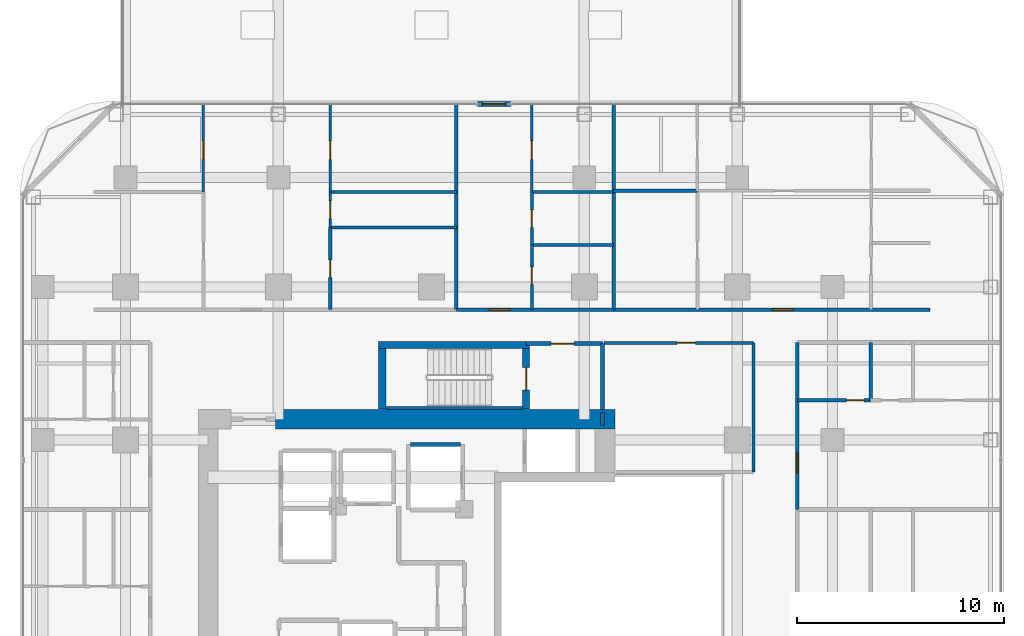
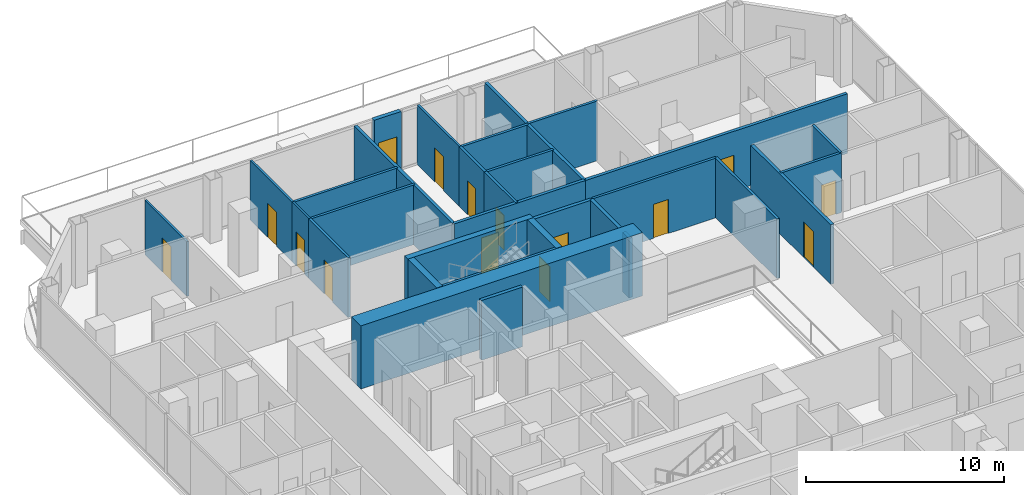
# One storey, part 25 of 29: 31 walls, 15 doors, 15 openings.
"""IFC4 building model written with IfcOpenShell, lengths in metres."""

from ifc_helpers import new_model, si_unit, direction, frame, frame_2d, origin, place, context, subcontext, project, spatial, rectangle, extrude, material, layer, layer_set, type_object, element, fill, save


model = new_model("IFC4")

# Units and contexts
model_context = context("Model", 3, precision=1e-05, world=origin(), true_north=direction((0.0, 1.0)))
body_context = subcontext(model_context, "Body", "Model", "MODEL_VIEW")
ifc_project = project(units=[si_unit("LENGTHUNIT", "METRE"), si_unit("AREAUNIT", "SQUARE_METRE"), si_unit("VOLUMEUNIT", "CUBIC_METRE"), si_unit("PLANEANGLEUNIT", "RADIAN"), si_unit("MASSUNIT", "GRAM", prefix="KILO")], contexts=[model_context])

# Site, building, storey
site_placement = place(None, origin())
site = spatial("IfcSite", under=ifc_project, at=site_placement, CompositionType="ELEMENT")
building_placement = place(site_placement, origin())
building = spatial("IfcBuilding", under=site, at=building_placement, Name="Khorvyn Point Tower", CompositionType="ELEMENT")
storey_placement = place(building_placement, frame((0.0, 0.0, 136.800048828125)))
storey = spatial("IfcBuildingStorey", under=building, at=storey_placement, Name="L34", CompositionType="ELEMENT", Elevation=136.800048828125)

# Wall, opening, door
ifc_material_1 = material(Name="Double acoustic gypsum on twin steel stud", Category="steel")
ifc_layer_1 = layer(ifc_material_1, 0.179931640625)
ifc_layer_set_1 = layer_set([ifc_layer_1], Name="Acoustic Double-Stud Apartment Demising Wall 180")
wall_type_1 = type_object("IfcWallType", Name="Acoustic Double-Stud Apartment Demising Wall 180", PredefinedType="PARTITIONING", material=ifc_layer_set_1)
wall_1_placement = place(storey_placement, frame((1.2041015625, 13.699951171875, 0.0), z_axis=(0.0, 0.0, 1.0), x_axis=(1.0, 0.0, 0.0)))
wall_1 = element("IfcWall", 1, at=wall_1_placement, inside=storey, type_object=wall_type_1, Name="Wall", PredefinedType="PARTITIONING", context=body_context, shape_type="SweptSolid", body=[
    extrude(rectangle(XDim=7.615966796875, YDim=0.179931640625, at=frame_2d((3.80810546875, 0.0))), origin(), (0.0, 0.0, 1.0), 3.679931640625),
])
opening_1_placement = place(wall_1_placement, frame((1.59912109375, 0.0, 0.0)))
opening_1 = element("IfcOpeningElement", 2, at=opening_1_placement, cuts=wall_1, Name="Opening ID-AP60", PredefinedType="OPENING", context=body_context, shape_type="SweptSolid", body=[
    extrude(rectangle(XDim=1.0, YDim=2.199951171875, at=frame_2d((0.5, 1.10009765625))), frame((0.0, 0.099853515625, 0.0), z_axis=(0.0, -1.0, 0.0), x_axis=(1.0, 0.0, 0.0)), (0.0, 0.0, 1.0), 0.199951171875),
])
ifc_material_2 = material(Name="Engineered hardwood fire-rated leaf", Category="wood")
door_type_1 = type_object("IfcDoorType", Name="Acoustic Solid-Core Timber Apartment Entrance Door 1000x2200", OperationType="NOTDEFINED", PredefinedType="DOOR", material=ifc_material_2)
door_1_placement = place(opening_1_placement, origin())
door_1 = element("IfcDoor", 3, at=door_1_placement, inside=storey, type_object=door_type_1, Name="Door", OperationType="SINGLE_SWING_RIGHT", OverallHeight=2.199951171875, OverallWidth=1.0, PredefinedType="DOOR", context=body_context, shape_type="SweptSolid", body=[
    extrude(rectangle(XDim=1.0, YDim=2.199951171875, at=frame_2d((0.5, 1.10009765625))), frame((0.0, 0.02490234375, 0.0), z_axis=(0.0, -1.0, 0.0), x_axis=(1.0, 0.0, 0.0)), (0.0, 0.0, 1.0), 0.050048828125),
])
fill(opening_1, door_1)

wall_2_placement = place(storey_placement, frame((8.820068359375, 13.699951171875, 0.0), z_axis=(0.0, 0.0, 1.0), x_axis=(1.0, 0.0, 0.0)))
wall_2 = element("IfcWall", 4, at=wall_2_placement, inside=storey, type_object=wall_type_1, Name="Wall", PredefinedType="PARTITIONING", context=body_context, shape_type="SweptSolid", body=[
    extrude(rectangle(XDim=15.300048828125, YDim=0.179931640625, at=frame_2d((7.64990234375, 0.0))), origin(), (0.0, 0.0, 1.0), 3.679931640625),
])
opening_2_placement = place(wall_2_placement, frame((7.687744140625, 0.0, 0.0)))
opening_2 = element("IfcOpeningElement", 5, at=opening_2_placement, cuts=wall_2, Name="Opening ID-AP60", PredefinedType="OPENING", context=body_context, shape_type="SweptSolid", body=[
    extrude(rectangle(XDim=1.0, YDim=2.199951171875, at=frame_2d((0.5, 1.10009765625))), frame((0.0, 0.099853515625, 0.0), z_axis=(0.0, -1.0, 0.0), x_axis=(1.0, 0.0, 0.0)), (0.0, 0.0, 1.0), 0.199951171875),
])
door_2_placement = place(opening_2_placement, origin())
door_2 = element("IfcDoor", 6, at=door_2_placement, inside=storey, type_object=door_type_1, Name="Door", OperationType="SINGLE_SWING_RIGHT", OverallHeight=2.199951171875, OverallWidth=1.0, PredefinedType="DOOR", context=body_context, shape_type="SweptSolid", body=[
    extrude(rectangle(XDim=1.0, YDim=2.199951171875, at=frame_2d((0.5, 1.10009765625))), frame((0.0, 0.02490234375, 0.0), z_axis=(0.0, -1.0, 0.0), x_axis=(1.0, 0.0, 0.0)), (0.0, 0.0, 1.0), 0.050048828125),
])
fill(opening_2, door_2)

wall_3_placement = place(storey_placement, frame((17.699951171875, 4.0400390625, 0.0), z_axis=(0.0, 0.0, 1.0), x_axis=(0.0, 1.0, 0.0)))
wall_3 = element("IfcWall", 7, at=wall_3_placement, inside=storey, type_object=wall_type_1, Name="Wall", PredefinedType="PARTITIONING", context=body_context, shape_type="SweptSolid", body=[
    extrude(rectangle(XDim=8.080078125, YDim=0.179931640625, at=frame_2d((4.0400390625, 0.0))), origin(), (0.0, 0.0, 1.0), 3.679931640625),
])
opening_3_placement = place(wall_3_placement, frame((1.760986328125, 0.0, 0.0)))
opening_3 = element("IfcOpeningElement", 8, at=opening_3_placement, cuts=wall_3, Name="Opening ID-AP60", PredefinedType="OPENING", context=body_context, shape_type="SweptSolid", body=[
    extrude(rectangle(XDim=1.0, YDim=2.199951171875, at=frame_2d((0.5, 1.10009765625))), frame((0.0, 0.099853515625, 0.0), z_axis=(0.0, -1.0, 0.0), x_axis=(1.0, 0.0, 0.0)), (0.0, 0.0, 1.0), 0.199951171875),
])
door_3_placement = place(opening_3_placement, origin())
door_3 = element("IfcDoor", 9, at=door_3_placement, inside=storey, type_object=door_type_1, Name="Door", OperationType="SINGLE_SWING_LEFT", OverallHeight=2.199951171875, OverallWidth=1.0, PredefinedType="DOOR", context=body_context, shape_type="SweptSolid", body=[
    extrude(rectangle(XDim=1.0, YDim=2.199951171875, at=frame_2d((0.5, 1.10009765625))), frame((0.0, 0.02490234375, 0.0), z_axis=(0.0, -1.0, 0.0), x_axis=(1.0, 0.0, 0.0)), (0.0, 0.0, 1.0), 0.050048828125),
])
fill(opening_3, door_3)

# Walls
for number, where, z_axis, x_axis, name in (
    (10, (1.2041015625, 13.699951171875, 0.0), (0.0, 0.0, 1.0), (0.0, 1.0, 0.0), "Wall"),
    (11, (8.820068359375, 13.699951171875, 0.0), (0.0, 0.0, 1.0), (0.0, 1.0, 0.0), "Wall"),
):
    element("IfcWall", number, at=place(storey_placement, frame(where, z_axis=z_axis, x_axis=x_axis)), inside=storey, type_object=wall_type_1, Name=name, PredefinedType="PARTITIONING", context=body_context, shape_type="SweptSolid", body=[
        extrude(rectangle(XDim=9.929931640625, YDim=0.179931640625, at=frame_2d((4.96484375, 0.0))), origin(), (0.0, 0.0, 1.0), 3.679931640625),
    ])

# Wall, opening, door
ifc_material_3 = material(Name="Pale anodised aluminium rainscreen on steel stud", Category="steel")
ifc_layer_2 = layer(ifc_material_3, 0.239990234375)
ifc_layer_set_2 = layer_set([ifc_layer_2], Name="Anodised Aluminium Insulated Corner Spandrel Wall 240")
wall_type_2 = type_object("IfcWallType", Name="Anodised Aluminium Insulated Corner Spandrel Wall 240", PredefinedType="SOLIDWALL", material=ifc_layer_set_2)
wall_4_placement = place(storey_placement, frame((2.241943359375, 23.64990234375, 0.0), z_axis=(0.0, 0.0, 1.0), x_axis=(1.0, 0.0, 0.0)))
wall_4 = element("IfcWall", 12, at=wall_4_placement, inside=storey, type_object=wall_type_2, Name="L34 North Outdoor Threshold Wall", PredefinedType="SOLIDWALL", context=body_context, shape_type="SweptSolid", body=[
    extrude(rectangle(XDim=1.580078125, YDim=0.239990234375, at=frame_2d((0.7900390625, 0.0))), origin(), (0.0, 0.0, 1.0), 3.679931640625),
])
opening_4_placement = place(wall_4_placement, frame((0.239990234375, 0.0, 0.0)))
opening_4 = element("IfcOpeningElement", 13, at=opening_4_placement, cuts=wall_4, Name="Opening BD-1122", PredefinedType="OPENING", context=body_context, shape_type="SweptSolid", body=[
    extrude(rectangle(XDim=1.10009765625, YDim=2.199951171875, at=frame_2d((0.550048828125, 1.10009765625))), frame((0.0, 0.1298828125, 0.0), z_axis=(0.0, -1.0, 0.0), x_axis=(1.0, 0.0, 0.0)), (0.0, 0.0, 1.0), 0.260009765625),
])
ifc_material_4 = material(Name="Anodised aluminium 6063-T6 and laminated Low-E glass", Category="aluminium")
door_type_2 = type_object("IfcDoorType", Name="Glazed Balcony and Terrace Threshold Door 1100x2200", OperationType="NOTDEFINED", PredefinedType="DOOR", material=ifc_material_4)
door_4_placement = place(opening_4_placement, origin())
door_4 = element("IfcDoor", 14, at=door_4_placement, inside=storey, type_object=door_type_2, Name="L34 North Terrace Outdoor Door", OperationType="SINGLE_SWING_LEFT", OverallHeight=2.199951171875, OverallWidth=1.10009765625, PredefinedType="DOOR", context=body_context, shape_type="SweptSolid", body=[
    extrude(rectangle(XDim=1.10009765625, YDim=2.199951171875, at=frame_2d((0.550048828125, 1.10009765625))), frame((0.0, 0.02490234375, 0.0), z_axis=(0.0, -1.0, 0.0), x_axis=(1.0, 0.0, 0.0)), (0.0, 0.0, 1.0), 0.050048828125),
])
fill(opening_4, door_4)

ifc_material_5 = material(Name="Concrete C40/50", Category="concrete")
ifc_layer_3 = layer(ifc_material_5, 0.199951171875)
ifc_layer_set_3 = layer_set([ifc_layer_3], Name="Concrete C40/50 Fire-Lobby Compartment Wall 200")
wall_type_3 = type_object("IfcWallType", Name="Concrete C40/50 Fire-Lobby Compartment Wall 200", PredefinedType="SOLIDWALL", material=ifc_layer_set_3)
wall_5_placement = place(storey_placement, frame((4.580078125, 12.06005859375, 0.0), z_axis=(0.0, 0.0, 1.0), x_axis=(1.0, 0.0, 0.0)))
wall_5 = element("IfcWall", 15, at=wall_5_placement, inside=storey, type_object=wall_type_3, Name="Wall", PredefinedType="SOLIDWALL", context=body_context, shape_type="SweptSolid", body=[
    extrude(rectangle(XDim=3.699951171875, YDim=0.199951171875, at=frame_2d((1.85009765625, 0.0))), origin(), (0.0, 0.0, 1.0), 3.679931640625),
])
opening_5_placement = place(wall_5_placement, frame((1.21240234375, 0.0, 0.0)))
opening_5 = element("IfcOpeningElement", 16, at=opening_5_placement, cuts=wall_5, Name="Opening ID-FL90", PredefinedType="OPENING", context=body_context, shape_type="SweptSolid", body=[
    extrude(rectangle(XDim=1.10009765625, YDim=2.14990234375, at=frame_2d((0.550048828125, 1.074951171875))), frame((0.0, 0.10986328125, 0.0), z_axis=(0.0, -1.0, 0.0), x_axis=(1.0, 0.0, 0.0)), (0.0, 0.0, 1.0), 0.219970703125),
])
ifc_material_6 = material(Name="Galvanised powder-coated steel", Category="steel")
door_type_3 = type_object("IfcDoorType", Name="Fire-Rated Steel Lobby and Stair Door 1100x2150", OperationType="NOTDEFINED", PredefinedType="DOOR", material=ifc_material_6)
door_5_placement = place(opening_5_placement, origin())
door_5 = element("IfcDoor", 17, at=door_5_placement, inside=storey, type_object=door_type_3, Name="Door", OperationType="SINGLE_SWING_RIGHT", OverallHeight=2.14990234375, OverallWidth=1.10009765625, PredefinedType="DOOR", context=body_context, shape_type="SweptSolid", body=[
    extrude(rectangle(XDim=1.10009765625, YDim=2.14990234375, at=frame_2d((0.550048828125, 1.074951171875))), frame((0.0, 0.02490234375, 0.0), z_axis=(0.0, -1.0, 0.0), x_axis=(1.0, 0.0, 0.0)), (0.0, 0.0, 1.0), 0.050048828125),
])
fill(opening_5, door_5)

# Walls
wall_6_placement = place(storey_placement, frame((8.280029296875, 8.875, 0.0), z_axis=(0.0, 0.0, 1.0), x_axis=(0.0, 1.0, 0.0)))
element("IfcWall", 18, at=wall_6_placement, inside=storey, type_object=wall_type_3, Name="Wall", PredefinedType="SOLIDWALL", context=body_context, shape_type="SweptSolid", body=[
    extrude(rectangle(XDim=3.18505859375, YDim=0.199951171875, at=frame_2d((1.592529296875, 0.0))), origin(), (0.0, 0.0, 1.0), 3.679931640625),
])
wall_7_placement = place(storey_placement, frame((8.280029296875, 8.10009765625, 0.0), z_axis=(0.0, 0.0, 1.0), x_axis=(0.0, 1.0, 0.0)))
element("IfcWall", 19, at=wall_7_placement, inside=storey, type_object=wall_type_3, Name="Wall", PredefinedType="SOLIDWALL", context=body_context, shape_type="SweptSolid", body=[
    extrude(rectangle(XDim=0.625, YDim=0.199951171875, at=frame_2d((0.3125, 0.0))), origin(), (0.0, 0.0, 1.0), 3.679931640625),
])
ifc_layer_4 = layer(ifc_material_5, 0.25)
ifc_layer_set_4 = layer_set([ifc_layer_4], Name="Concrete C40/50 Stair Inner Cheek Structural Wall 250")
wall_type_4 = type_object("IfcWallType", Name="Concrete C40/50 Stair Inner Cheek Structural Wall 250", PredefinedType="SHEAR", material=ifc_layer_set_4)
wall_8_placement = place(storey_placement, frame((-2.199951171875, 8.949951171875, 0.0), z_axis=(0.0, 0.0, 1.0), x_axis=(1.0, 0.0, 0.0)))
element("IfcWall", 20, at=wall_8_placement, inside=storey, type_object=wall_type_4, Name="Wall", PredefinedType="SHEAR", context=body_context, shape_type="SweptSolid", body=[
    extrude(rectangle(XDim=6.599853515625, YDim=0.14990234375, at=frame_2d((3.2998046875, 0.0))), origin(), (0.0, 0.0, 1.0), 3.89990234375),
])
ifc_layer_5 = layer(ifc_material_5, 0.35009765625)
ifc_layer_set_5 = layer_set([ifc_layer_5], Name="Concrete C40/50 Stair Shaft Structural Wall 350")
wall_type_5 = type_object("IfcWallType", Name="Concrete C40/50 Stair Shaft Structural Wall 350", PredefinedType="SHEAR", material=ifc_layer_set_5)
wall_9_placement = place(storey_placement, frame((-2.554931640625, 12.0, 0.0), z_axis=(0.0, 0.0, 1.0), x_axis=(1.0, 0.0, 0.0)))
element("IfcWall", 21, at=wall_9_placement, inside=storey, type_object=wall_type_5, Name="L34 ST-02 North Shaft Wall", PredefinedType="SHEAR", context=body_context, shape_type="SweptSolid", body=[
    extrude(rectangle(XDim=7.309814453125, YDim=0.35009765625, at=frame_2d((3.65478515625, 0.0))), origin(), (0.0, 0.0, 1.0), 3.89990234375),
])
wall_10_placement = place(storey_placement, frame((-2.3798828125, 8.89990234375, 0.0), z_axis=(0.0, 0.0, 1.0), x_axis=(0.0, 1.0, 0.0)))
element("IfcWall", 22, at=wall_10_placement, inside=storey, type_object=wall_type_5, Name="L34 ST-02 West Shaft Wall", PredefinedType="SHEAR", context=body_context, shape_type="SweptSolid", body=[
    extrude(rectangle(XDim=2.925048828125, YDim=0.35009765625, at=frame_2d((1.46240234375, 0.0))), origin(), (0.0, 0.0, 1.0), 3.89990234375),
])

# Wall, opening, door
wall_11_placement = place(storey_placement, frame((4.580078125, 11.824951171875, 0.0), z_axis=(0.0, 0.0, 1.0), x_axis=(0.0, -1.0, 0.0)))
wall_11 = element("IfcWall", 23, at=wall_11_placement, inside=storey, type_object=wall_type_5, Name="L34 ST-02 East Landing Door Wall", PredefinedType="SHEAR", context=body_context, shape_type="SweptSolid", body=[
    extrude(rectangle(XDim=2.925048828125, YDim=0.35009765625, at=frame_2d((1.46240234375, 0.0))), origin(), (0.0, 0.0, 1.0), 3.89990234375),
])
opening_6_placement = place(wall_11_placement, frame((0.91259765625, 0.0, 0.0)))
opening_6 = element("IfcOpeningElement", 24, at=opening_6_placement, cuts=wall_11, Name="Opening ID-FL90", PredefinedType="OPENING", context=body_context, shape_type="SweptSolid", body=[
    extrude(rectangle(XDim=1.10009765625, YDim=2.14990234375, at=frame_2d((0.550048828125, 1.074951171875))), frame((0.0, 0.18505859375, 0.0), z_axis=(0.0, -1.0, 0.0), x_axis=(1.0, 0.0, 0.0)), (0.0, 0.0, 1.0), 0.3701171875),
])
door_6_placement = place(opening_6_placement, origin())
door_6 = element("IfcDoor", 25, at=door_6_placement, inside=storey, type_object=door_type_3, Name="L34 ST-02 Smokeproof Landing Door", OperationType="SINGLE_SWING_LEFT", OverallHeight=2.14990234375, OverallWidth=1.10009765625, PredefinedType="DOOR", context=body_context, shape_type="SweptSolid", body=[
    extrude(rectangle(XDim=1.10009765625, YDim=2.14990234375, at=frame_2d((0.550048828125, 1.074951171875))), frame((0.0, 0.02490234375, 0.0), z_axis=(0.0, -1.0, 0.0), x_axis=(1.0, 0.0, 0.0)), (0.0, 0.0, 1.0), 0.050048828125),
])
fill(opening_6, door_6)

# Walls
ifc_layer_6 = layer(ifc_material_5, 0.199951171875)
ifc_layer_set_6 = layer_set([ifc_layer_6], Name="Concrete C40/50 Structural Hoistway and Stair Shaft Wall 200")
wall_type_6 = type_object("IfcWallType", Name="Concrete C40/50 Structural Hoistway and Stair Shaft Wall 200", PredefinedType="SHEAR", material=ifc_layer_set_6)
wall_12_placement = place(storey_placement, frame((-1.0, 7.175048828125, 0.0), z_axis=(0.0, 0.0, 1.0), x_axis=(1.0, 0.0, 0.0)))
element("IfcWall", 26, at=wall_12_placement, inside=storey, type_object=wall_type_6, Name="Wall", PredefinedType="SHEAR", context=body_context, shape_type="SweptSolid", body=[
    extrude(rectangle(XDim=2.39990234375, YDim=0.199951171875, at=frame_2d((1.199951171875, 0.0))), origin(), (0.0, 0.0, 1.0), 3.679931640625),
])
ifc_material_7 = material(Name="Concrete C50/60", Category="concrete")
ifc_layer_7 = layer(ifc_material_7, 0.949951171875)
ifc_layer_set_7 = layer_set([ifc_layer_7], Name="Concrete C50/60 Core Shear Wall 950")
wall_type_7 = type_object("IfcWallType", Name="Concrete C50/60 Core Shear Wall 950", PredefinedType="SHEAR", material=ifc_layer_set_7)
wall_13_placement = place(storey_placement, frame((-7.550048828125, 8.39990234375, 0.0), z_axis=(0.0, 0.0, 1.0), x_axis=(1.0, 0.0, 0.0)))
element("IfcWall", 27, at=wall_13_placement, inside=storey, type_object=wall_type_7, Name="Wall", PredefinedType="SHEAR", context=body_context, shape_type="SweptSolid", body=[
    extrude(rectangle(XDim=16.425048828125, YDim=0.949951171875, at=frame_2d((8.21240234375, 0.0))), origin(), (0.0, 0.0, 1.0), 3.89990234375),
])

# Wall, opening, door
ifc_material_8 = material(Name="Gypsum plasterboard on steel stud", Category="steel")
ifc_layer_8 = layer(ifc_material_8, 0.1201171875)
ifc_layer_set_8 = layer_set([ifc_layer_8], Name="Gypsum Acoustic Stud Room Partition Wall 120")
wall_type_8 = type_object("IfcWallType", Name="Gypsum Acoustic Stud Room Partition Wall 120", PredefinedType="PARTITIONING", material=ifc_layer_set_8)
wall_14_placement = place(storey_placement, frame((-11.02392578125, 19.389892578125, 0.0), z_axis=(0.0, 0.0, 1.0), x_axis=(0.0, 1.0, 0.0)))
wall_14 = element("IfcWall", 28, at=wall_14_placement, inside=storey, type_object=wall_type_8, Name="Wall", PredefinedType="PARTITIONING", context=body_context, shape_type="SweptSolid", body=[
    extrude(rectangle(XDim=4.239990234375, YDim=0.1201171875, at=frame_2d((2.1201171875, 0.0))), origin(), (0.0, 0.0, 1.0), 3.369873046875),
])
opening_7_placement = place(wall_14_placement, frame((1.581298828125, 0.0, 0.0)))
opening_7 = element("IfcOpeningElement", 29, at=opening_7_placement, cuts=wall_14, Name="Opening ID-RM90", PredefinedType="OPENING", context=body_context, shape_type="SweptSolid", body=[
    extrude(rectangle(XDim=0.89990234375, YDim=2.10009765625, at=frame_2d((0.449951171875, 1.050048828125))), frame((0.0, 0.070068359375, 0.0), z_axis=(0.0, -1.0, 0.0), x_axis=(1.0, 0.0, 0.0)), (0.0, 0.0, 1.0), 0.14013671875),
])
ifc_material_9 = material(Name="Engineered oak veneer timber", Category="wood")
door_type_4 = type_object("IfcDoorType", Name="Flush Engineered Timber Room Door 900x2100", OperationType="NOTDEFINED", PredefinedType="DOOR", material=ifc_material_9)
door_7_placement = place(opening_7_placement, origin())
door_7 = element("IfcDoor", 30, at=door_7_placement, inside=storey, type_object=door_type_4, Name="Door", OperationType="SINGLE_SWING_RIGHT", OverallHeight=2.10009765625, OverallWidth=0.89990234375, PredefinedType="DOOR", context=body_context, shape_type="SweptSolid", body=[
    extrude(rectangle(XDim=0.89990234375, YDim=2.10009765625, at=frame_2d((0.449951171875, 1.050048828125))), frame((0.0, 0.02490234375, 0.0), z_axis=(0.0, -1.0, 0.0), x_axis=(1.0, 0.0, 0.0)), (0.0, 0.0, 1.0), 0.050048828125),
])
fill(opening_7, door_7)

wall_15_placement = place(storey_placement, frame((-4.889892578125, 17.68310546875, 0.0), z_axis=(0.0, 0.0, 1.0), x_axis=(0.0, 1.0, 0.0)))
wall_15 = element("IfcWall", 31, at=wall_15_placement, inside=storey, type_object=wall_type_8, Name="Wall", PredefinedType="PARTITIONING", context=body_context, shape_type="SweptSolid", body=[
    extrude(rectangle(XDim=1.706787109375, YDim=0.1201171875, at=frame_2d((0.853515625, 0.0))), origin(), (0.0, 0.0, 1.0), 3.679931640625),
])
opening_8_placement = place(wall_15_placement, frame((0.428466796875, 0.0, 0.0)))
opening_8 = element("IfcOpeningElement", 32, at=opening_8_placement, cuts=wall_15, Name="Opening ID-WC85", PredefinedType="OPENING", context=body_context, shape_type="SweptSolid", body=[
    extrude(rectangle(XDim=0.85009765625, YDim=2.10009765625, at=frame_2d((0.425048828125, 1.050048828125))), frame((0.0, 0.070068359375, 0.0), z_axis=(0.0, -1.0, 0.0), x_axis=(1.0, 0.0, 0.0)), (0.0, 0.0, 1.0), 0.14013671875),
])
ifc_material_10 = material(Name="High-pressure laminate on moisture-resistant core", Category="wood")
door_type_5 = type_object("IfcDoorType", Name="Moisture-Resistant Accessible Washroom Door 850x2100", OperationType="NOTDEFINED", PredefinedType="DOOR", material=ifc_material_10)
door_8_placement = place(opening_8_placement, origin())
door_8 = element("IfcDoor", 33, at=door_8_placement, inside=storey, type_object=door_type_5, Name="Door", OperationType="SINGLE_SWING_RIGHT", OverallHeight=2.10009765625, OverallWidth=0.85009765625, PredefinedType="DOOR", context=body_context, shape_type="SweptSolid", body=[
    extrude(rectangle(XDim=0.85009765625, YDim=2.10009765625, at=frame_2d((0.425048828125, 1.050048828125))), frame((0.0, 0.02490234375, 0.0), z_axis=(0.0, -1.0, 0.0), x_axis=(1.0, 0.0, 0.0)), (0.0, 0.0, 1.0), 0.050048828125),
])
fill(opening_8, door_8)

wall_16_placement = place(storey_placement, frame((-4.889892578125, 19.389892578125, 0.0), z_axis=(0.0, 0.0, 1.0), x_axis=(0.0, 1.0, 0.0)))
wall_16 = element("IfcWall", 34, at=wall_16_placement, inside=storey, type_object=wall_type_8, Name="Wall", PredefinedType="PARTITIONING", context=body_context, shape_type="SweptSolid", body=[
    extrude(rectangle(XDim=4.239990234375, YDim=0.1201171875, at=frame_2d((2.1201171875, 0.0))), origin(), (0.0, 0.0, 1.0), 3.679931640625),
])
opening_9_placement = place(wall_16_placement, frame((1.581298828125, 0.0, 0.0)))
opening_9 = element("IfcOpeningElement", 35, at=opening_9_placement, cuts=wall_16, Name="Opening ID-RM90", PredefinedType="OPENING", context=body_context, shape_type="SweptSolid", body=[
    extrude(rectangle(XDim=0.89990234375, YDim=2.10009765625, at=frame_2d((0.449951171875, 1.050048828125))), frame((0.0, 0.070068359375, 0.0), z_axis=(0.0, -1.0, 0.0), x_axis=(1.0, 0.0, 0.0)), (0.0, 0.0, 1.0), 0.14013671875),
])
door_9_placement = place(opening_9_placement, origin())
door_9 = element("IfcDoor", 36, at=door_9_placement, inside=storey, type_object=door_type_4, Name="Door", OperationType="SINGLE_SWING_LEFT", OverallHeight=2.10009765625, OverallWidth=0.89990234375, PredefinedType="DOOR", context=body_context, shape_type="SweptSolid", body=[
    extrude(rectangle(XDim=0.89990234375, YDim=2.10009765625, at=frame_2d((0.449951171875, 1.050048828125))), frame((0.0, 0.02490234375, 0.0), z_axis=(0.0, -1.0, 0.0), x_axis=(1.0, 0.0, 0.0)), (0.0, 0.0, 1.0), 0.050048828125),
])
fill(opening_9, door_9)

wall_17_placement = place(storey_placement, frame((4.860107421875, 19.389892578125, 0.0), z_axis=(0.0, 0.0, 1.0), x_axis=(0.0, 1.0, 0.0)))
wall_17 = element("IfcWall", 37, at=wall_17_placement, inside=storey, type_object=wall_type_8, Name="Wall", PredefinedType="PARTITIONING", context=body_context, shape_type="SweptSolid", body=[
    extrude(rectangle(XDim=4.239990234375, YDim=0.1201171875, at=frame_2d((2.1201171875, 0.0))), origin(), (0.0, 0.0, 1.0), 3.679931640625),
])
opening_10_placement = place(wall_17_placement, frame((1.581298828125, 0.0, 0.0)))
opening_10 = element("IfcOpeningElement", 38, at=opening_10_placement, cuts=wall_17, Name="Opening ID-RM90", PredefinedType="OPENING", context=body_context, shape_type="SweptSolid", body=[
    extrude(rectangle(XDim=0.89990234375, YDim=2.10009765625, at=frame_2d((0.449951171875, 1.050048828125))), frame((0.0, 0.070068359375, 0.0), z_axis=(0.0, -1.0, 0.0), x_axis=(1.0, 0.0, 0.0)), (0.0, 0.0, 1.0), 0.14013671875),
])
door_10_placement = place(opening_10_placement, origin())
door_10 = element("IfcDoor", 39, at=door_10_placement, inside=storey, type_object=door_type_4, Name="Door", OperationType="SINGLE_SWING_LEFT", OverallHeight=2.10009765625, OverallWidth=0.89990234375, PredefinedType="DOOR", context=body_context, shape_type="SweptSolid", body=[
    extrude(rectangle(XDim=0.89990234375, YDim=2.10009765625, at=frame_2d((0.449951171875, 1.050048828125))), frame((0.0, 0.02490234375, 0.0), z_axis=(0.0, -1.0, 0.0), x_axis=(1.0, 0.0, 0.0)), (0.0, 0.0, 1.0), 0.050048828125),
])
fill(opening_10, door_10)

ifc_material_11 = material(Name="Moisture-resistant gypsum and cement board", Category="gypsum")
ifc_layer_9 = layer(ifc_material_11, 0.14990234375)
ifc_layer_set_9 = layer_set([ifc_layer_9], Name="Moisture-Resistant Wet-Room Partition Wall 150")
wall_type_9 = type_object("IfcWallType", Name="Moisture-Resistant Wet-Room Partition Wall 150", PredefinedType="PARTITIONING", material=ifc_layer_set_9)
wall_18_placement = place(storey_placement, frame((8.360107421875, 12.10009765625, 0.0), z_axis=(0.0, 0.0, 1.0), x_axis=(1.0, 0.0, 0.0)))
wall_18 = element("IfcWall", 40, at=wall_18_placement, inside=storey, type_object=wall_type_9, Name="Wall", PredefinedType="PARTITIONING", context=body_context, shape_type="SweptSolid", body=[
    extrude(rectangle(XDim=7.219970703125, YDim=0.14990234375, at=frame_2d((3.60986328125, 0.0))), origin(), (0.0, 0.0, 1.0), 3.679931640625),
])
opening_11_placement = place(wall_18_placement, frame((3.512939453125, 0.0, 0.0)))
opening_11 = element("IfcOpeningElement", 41, at=opening_11_placement, cuts=wall_18, Name="Opening ID-RM90", PredefinedType="OPENING", context=body_context, shape_type="SweptSolid", body=[
    extrude(rectangle(XDim=0.89990234375, YDim=2.10009765625, at=frame_2d((0.449951171875, 1.050048828125))), frame((0.0, 0.0849609375, 0.0), z_axis=(0.0, -1.0, 0.0), x_axis=(1.0, 0.0, 0.0)), (0.0, 0.0, 1.0), 0.169921875),
])
door_11_placement = place(opening_11_placement, origin())
door_11 = element("IfcDoor", 42, at=door_11_placement, inside=storey, type_object=door_type_4, Name="Door", OperationType="SINGLE_SWING_LEFT", OverallHeight=2.10009765625, OverallWidth=0.89990234375, PredefinedType="DOOR", context=body_context, shape_type="SweptSolid", body=[
    extrude(rectangle(XDim=0.89990234375, YDim=2.10009765625, at=frame_2d((0.449951171875, 1.050048828125))), frame((0.0, 0.02490234375, 0.0), z_axis=(0.0, -1.0, 0.0), x_axis=(1.0, 0.0, 0.0)), (0.0, 0.0, 1.0), 0.050048828125),
])
fill(opening_11, door_11)

wall_19_placement = place(storey_placement, frame((-4.889892578125, 13.699951171875, 0.0), z_axis=(0.0, 0.0, 1.0), x_axis=(0.0, 1.0, 0.0)))
wall_19 = element("IfcWall", 43, at=wall_19_placement, inside=storey, type_object=wall_type_9, Name="Wall", PredefinedType="PARTITIONING", context=body_context, shape_type="SweptSolid", body=[
    extrude(rectangle(XDim=3.983154296875, YDim=0.14990234375, at=frame_2d((1.99169921875, 0.0))), origin(), (0.0, 0.0, 1.0), 3.679931640625),
])
opening_12_placement = place(wall_19_placement, frame((1.56640625, 0.0, 0.0)))
opening_12 = element("IfcOpeningElement", 44, at=opening_12_placement, cuts=wall_19, Name="Opening ID-WC85", PredefinedType="OPENING", context=body_context, shape_type="SweptSolid", body=[
    extrude(rectangle(XDim=0.85009765625, YDim=2.10009765625, at=frame_2d((0.425048828125, 1.050048828125))), frame((0.0, 0.0849609375, 0.0), z_axis=(0.0, -1.0, 0.0), x_axis=(1.0, 0.0, 0.0)), (0.0, 0.0, 1.0), 0.169921875),
])
door_12_placement = place(opening_12_placement, origin())
door_12 = element("IfcDoor", 45, at=door_12_placement, inside=storey, type_object=door_type_5, Name="Door", OperationType="SINGLE_SWING_LEFT", OverallHeight=2.10009765625, OverallWidth=0.85009765625, PredefinedType="DOOR", context=body_context, shape_type="SweptSolid", body=[
    extrude(rectangle(XDim=0.85009765625, YDim=2.10009765625, at=frame_2d((0.425048828125, 1.050048828125))), frame((0.0, 0.02490234375, 0.0), z_axis=(0.0, -1.0, 0.0), x_axis=(1.0, 0.0, 0.0)), (0.0, 0.0, 1.0), 0.050048828125),
])
fill(opening_12, door_12)

wall_20_placement = place(storey_placement, frame((4.860107421875, 13.699951171875, 0.0), z_axis=(0.0, 0.0, 1.0), x_axis=(0.0, 1.0, 0.0)))
wall_20 = element("IfcWall", 46, at=wall_20_placement, inside=storey, type_object=wall_type_9, Name="Wall", PredefinedType="PARTITIONING", context=body_context, shape_type="SweptSolid", body=[
    extrude(rectangle(XDim=3.129150390625, YDim=0.14990234375, at=frame_2d((1.564453125, 0.0))), origin(), (0.0, 0.0, 1.0), 3.679931640625),
])
opening_13_placement = place(wall_20_placement, frame((1.228515625, 0.0, 0.0)))
opening_13 = element("IfcOpeningElement", 47, at=opening_13_placement, cuts=wall_20, Name="Opening ID-WC85", PredefinedType="OPENING", context=body_context, shape_type="SweptSolid", body=[
    extrude(rectangle(XDim=0.85009765625, YDim=2.10009765625, at=frame_2d((0.425048828125, 1.050048828125))), frame((0.0, 0.0849609375, 0.0), z_axis=(0.0, -1.0, 0.0), x_axis=(1.0, 0.0, 0.0)), (0.0, 0.0, 1.0), 0.169921875),
])
door_13_placement = place(opening_13_placement, origin())
door_13 = element("IfcDoor", 48, at=door_13_placement, inside=storey, type_object=door_type_5, Name="Door", OperationType="SINGLE_SWING_LEFT", OverallHeight=2.10009765625, OverallWidth=0.85009765625, PredefinedType="DOOR", context=body_context, shape_type="SweptSolid", body=[
    extrude(rectangle(XDim=0.85009765625, YDim=2.10009765625, at=frame_2d((0.425048828125, 1.050048828125))), frame((0.0, 0.02490234375, 0.0), z_axis=(0.0, -1.0, 0.0), x_axis=(1.0, 0.0, 0.0)), (0.0, 0.0, 1.0), 0.050048828125),
])
fill(opening_13, door_13)

wall_21_placement = place(storey_placement, frame((4.860107421875, 16.8291015625, 0.0), z_axis=(0.0, 0.0, 1.0), x_axis=(0.0, 1.0, 0.0)))
wall_21 = element("IfcWall", 49, at=wall_21_placement, inside=storey, type_object=wall_type_9, Name="Wall", PredefinedType="PARTITIONING", context=body_context, shape_type="SweptSolid", body=[
    extrude(rectangle(XDim=2.560791015625, YDim=0.14990234375, at=frame_2d((1.2802734375, 0.0))), origin(), (0.0, 0.0, 1.0), 3.679931640625),
])
opening_14_placement = place(wall_21_placement, frame((0.85546875, 0.0, 0.0)))
opening_14 = element("IfcOpeningElement", 50, at=opening_14_placement, cuts=wall_21, Name="Opening ID-WC85", PredefinedType="OPENING", context=body_context, shape_type="SweptSolid", body=[
    extrude(rectangle(XDim=0.85009765625, YDim=2.10009765625, at=frame_2d((0.425048828125, 1.050048828125))), frame((0.0, 0.0849609375, 0.0), z_axis=(0.0, -1.0, 0.0), x_axis=(1.0, 0.0, 0.0)), (0.0, 0.0, 1.0), 0.169921875),
])
door_14_placement = place(opening_14_placement, origin())
door_14 = element("IfcDoor", 51, at=door_14_placement, inside=storey, type_object=door_type_5, Name="Door", OperationType="SINGLE_SWING_RIGHT", OverallHeight=2.10009765625, OverallWidth=0.85009765625, PredefinedType="DOOR", context=body_context, shape_type="SweptSolid", body=[
    extrude(rectangle(XDim=0.85009765625, YDim=2.10009765625, at=frame_2d((0.425048828125, 1.050048828125))), frame((0.0, 0.02490234375, 0.0), z_axis=(0.0, -1.0, 0.0), x_axis=(1.0, 0.0, 0.0)), (0.0, 0.0, 1.0), 0.050048828125),
])
fill(opening_14, door_14)

wall_22_placement = place(storey_placement, frame((17.699951171875, 9.320068359375, 0.0), z_axis=(0.0, 0.0, 1.0), x_axis=(1.0, 0.0, 0.0)))
wall_22 = element("IfcWall", 52, at=wall_22_placement, inside=storey, type_object=wall_type_9, Name="Wall", PredefinedType="PARTITIONING", context=body_context, shape_type="SweptSolid", body=[
    extrude(rectangle(XDim=3.552001953125, YDim=0.14990234375, at=frame_2d((1.77587890625, 0.0))), origin(), (0.0, 0.0, 1.0), 3.679931640625),
])
opening_15_placement = place(wall_22_placement, frame((2.371826171875, 0.0, 0.0)))
opening_15 = element("IfcOpeningElement", 53, at=opening_15_placement, cuts=wall_22, Name="Opening ID-WC85", PredefinedType="OPENING", context=body_context, shape_type="SweptSolid", body=[
    extrude(rectangle(XDim=0.85009765625, YDim=2.10009765625, at=frame_2d((0.425048828125, 1.050048828125))), frame((0.0, 0.0849609375, 0.0), z_axis=(0.0, -1.0, 0.0), x_axis=(1.0, 0.0, 0.0)), (0.0, 0.0, 1.0), 0.169921875),
])
door_15_placement = place(opening_15_placement, origin())
door_15 = element("IfcDoor", 54, at=door_15_placement, inside=storey, type_object=door_type_5, Name="Door", OperationType="SINGLE_SWING_RIGHT", OverallHeight=2.10009765625, OverallWidth=0.85009765625, PredefinedType="DOOR", context=body_context, shape_type="SweptSolid", body=[
    extrude(rectangle(XDim=0.85009765625, YDim=2.10009765625, at=frame_2d((0.425048828125, 1.050048828125))), frame((0.0, 0.02490234375, 0.0), z_axis=(0.0, -1.0, 0.0), x_axis=(1.0, 0.0, 0.0)), (0.0, 0.0, 1.0), 0.050048828125),
])
fill(opening_15, door_15)

# Walls
wall_23_placement = place(storey_placement, frame((15.580078125, 5.85009765625, 0.0), z_axis=(0.0, 0.0, 1.0), x_axis=(0.0, 1.0, 0.0)))
element("IfcWall", 55, at=wall_23_placement, inside=storey, type_object=wall_type_9, Name="Wall", PredefinedType="PARTITIONING", context=body_context, shape_type="SweptSolid", body=[
    extrude(rectangle(XDim=6.25, YDim=0.14990234375, at=frame_2d((3.125, 0.0))), origin(), (0.0, 0.0, 1.0), 3.679931640625),
])
for number, where, z_axis, x_axis, name in (
    (56, (-4.889892578125, 17.68310546875, 0.0), (0.0, 0.0, 1.0), (1.0, 0.0, 0.0), "Wall"),
    (57, (-4.889892578125, 19.389892578125, 0.0), (0.0, 0.0, 1.0), (1.0, 0.0, 0.0), "Wall"),
):
    element("IfcWall", number, at=place(storey_placement, frame(where, z_axis=z_axis, x_axis=x_axis)), inside=storey, type_object=wall_type_9, Name=name, PredefinedType="PARTITIONING", context=body_context, shape_type="SweptSolid", body=[
        extrude(rectangle(XDim=6.093994140625, YDim=0.14990234375, at=frame_2d((3.046875, 0.0))), origin(), (0.0, 0.0, 1.0), 3.679931640625),
    ])
for number, where, z_axis, x_axis, name in (
    (58, (4.860107421875, 16.8291015625, 0.0), (0.0, 0.0, 1.0), (1.0, 0.0, 0.0), "Wall"),
    (59, (4.860107421875, 19.389892578125, 0.0), (0.0, 0.0, 1.0), (1.0, 0.0, 0.0), "Wall"),
):
    element("IfcWall", number, at=place(storey_placement, frame(where, z_axis=z_axis, x_axis=x_axis)), inside=storey, type_object=wall_type_9, Name=name, PredefinedType="PARTITIONING", context=body_context, shape_type="SweptSolid", body=[
        extrude(rectangle(XDim=3.9599609375, YDim=0.14990234375, at=frame_2d((1.97998046875, 0.0))), origin(), (0.0, 0.0, 1.0), 3.679931640625),
    ])
wall_24_placement = place(storey_placement, frame((8.820068359375, 19.455078125, 0.0), z_axis=(0.0, 0.0, 1.0), x_axis=(1.0, 0.0, 0.0)))
element("IfcWall", 60, at=wall_24_placement, inside=storey, type_object=wall_type_9, Name="Wall", PredefinedType="PARTITIONING", context=body_context, shape_type="SweptSolid", body=[
    extrude(rectangle(XDim=4.0458984375, YDim=0.14990234375, at=frame_2d((2.02294921875, 0.0))), origin(), (0.0, 0.0, 1.0), 3.679931640625),
])
wall_25_placement = place(storey_placement, frame((21.251953125, 9.320068359375, 0.0), z_axis=(0.0, 0.0, 1.0), x_axis=(0.0, 1.0, 0.0)))
element("IfcWall", 61, at=wall_25_placement, inside=storey, type_object=wall_type_9, Name="Wall", PredefinedType="PARTITIONING", context=body_context, shape_type="SweptSolid", body=[
    extrude(rectangle(XDim=2.800048828125, YDim=0.14990234375, at=frame_2d((1.39990234375, 0.0))), origin(), (0.0, 0.0, 1.0), 3.679931640625),
])

save(model, "model.ifc")
